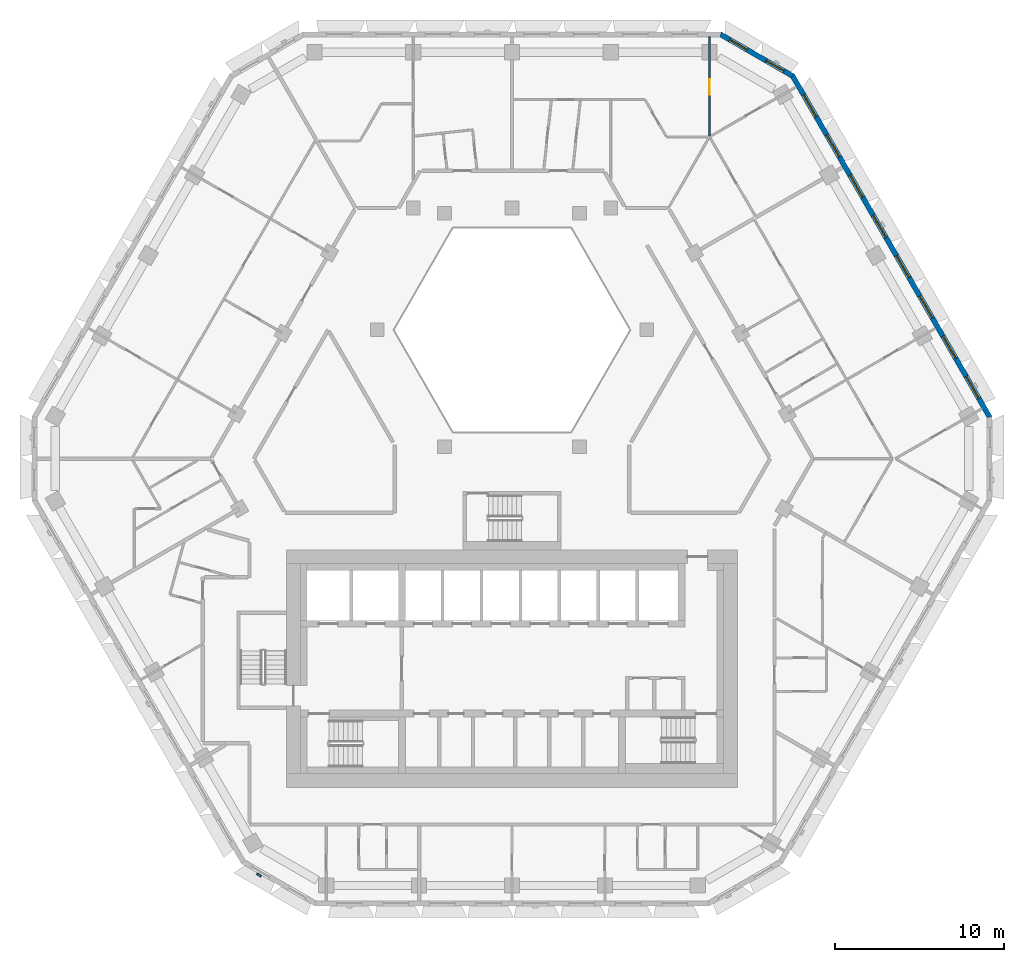
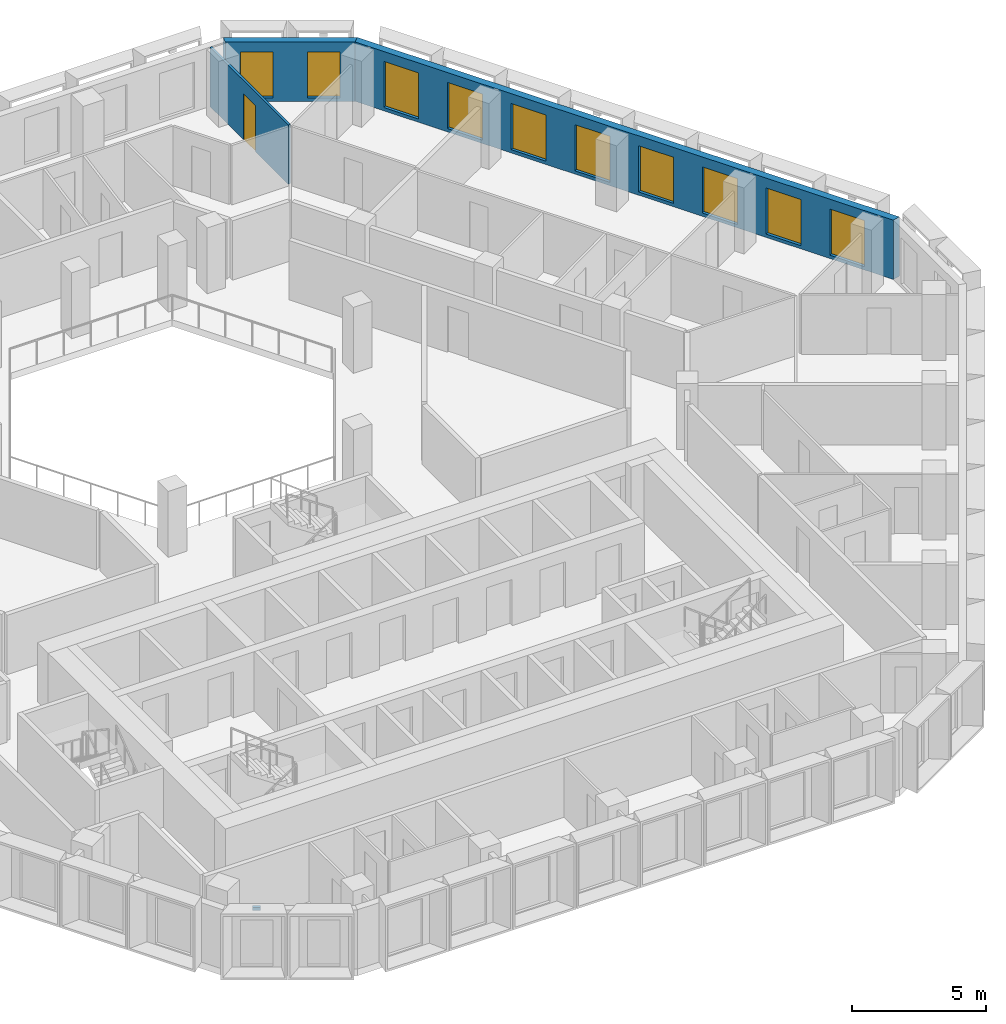
# One storey, part 10 of 18: 10 windows, 3 walls, 1 discrete accessory, 1 door, 11 openings.
"""IFC4 building model written with IfcOpenShell, lengths in metres."""

from ifc_helpers import new_model, si_unit, direction, frame, frame_2d, origin, place, context, subcontext, project, spatial, polyline, rectangle, outline, extrude, source, transform, mapped, material, layer, layer_set, type_object, type_shapes, element, fill, save


model = new_model("IFC4")

# Units and contexts
model_context = context("Model", 3, precision=1e-05, world=origin(), true_north=direction((0.0, 1.0)))
body_context = subcontext(model_context, "Body", "Model", "MODEL_VIEW")
ifc_project = project(units=[si_unit("LENGTHUNIT", "METRE"), si_unit("AREAUNIT", "SQUARE_METRE"), si_unit("VOLUMEUNIT", "CUBIC_METRE"), si_unit("PLANEANGLEUNIT", "RADIAN"), si_unit("MASSUNIT", "GRAM", prefix="KILO")], contexts=[model_context])

# Site, building, storey
site_placement = place(None, origin())
site = spatial("IfcSite", under=ifc_project, at=site_placement, CompositionType="ELEMENT")
building_placement = place(site_placement, origin())
building = spatial("IfcBuilding", under=site, at=building_placement, Name="Beryl Residences", CompositionType="ELEMENT")
storey_placement = place(building_placement, frame((0.0, 0.0, 138.60009765625)))
storey = spatial("IfcBuildingStorey", under=building, at=storey_placement, Name="L42", CompositionType="ELEMENT", Elevation=138.60009765625)

# Wall, openings, windows
ifc_material_1 = material(Name="Composite metal panel with mineral wool insulation")
ifc_layer_1 = layer(ifc_material_1, 0.300048828125)
ifc_layer_set_1 = layer_set([ifc_layer_1], Name="ES1 pale metal composite panel wall 300 mm")
wall_type_1 = type_object("IfcWallType", Name="ES1 pale metal composite panel wall 300 mm", PredefinedType="SOLIDWALL", material=ifc_layer_set_1)
wall_1_placement = place(storey_placement, frame((28.218017578125, 2.824951171875, 0.0), z_axis=(0.0, 0.0, 1.0), x_axis=(-0.500020536353, 0.866013546791, 0.0)))
wall_1 = element("IfcWall", 1, at=wall_1_placement, inside=storey, type_object=wall_type_1, Name="ES1 external wall L42 NE", PredefinedType="SOLIDWALL", context=body_context, shape_type="SweptSolid", body=[
    extrude(outline(polyline([(0.0, -0.14990234375), (23.3251953125, -0.14990234375), (23.244873046875, 0.14990234375), (0.080322265625, 0.14990234375), (0.0, -0.14990234375)])), origin(), (0.0, 0.0, 1.0), 2.699951171875),
])
opening_1_placement = place(wall_1_placement, frame((1.31396484375, 0.0, 0.14990234375)))
opening_1 = element("IfcOpeningElement", 2, at=opening_1_placement, cuts=wall_1, Name="Opening W1", PredefinedType="OPENING", context=body_context, shape_type="SweptSolid", body=[
    extrude(rectangle(XDim=1.5, YDim=2.10009765625, at=frame_2d((0.75, 1.050048828125))), frame((0.0, 0.159912109375, 0.0), z_axis=(0.0, -1.0, 0.0), x_axis=(1.0, 0.0, 0.0)), (0.0, 0.0, 1.0), 0.320068359375),
])
opening_2_placement = place(wall_1_placement, frame((4.055908203125, 0.0, 0.14990234375)))
opening_2 = element("IfcOpeningElement", 3, at=opening_2_placement, cuts=wall_1, Name="Opening W1", PredefinedType="OPENING", context=body_context, shape_type="SweptSolid", body=[
    extrude(rectangle(XDim=1.5, YDim=2.10009765625, at=frame_2d((0.75, 1.050048828125))), frame((0.0, 0.159912109375, 0.0), z_axis=(0.0, -1.0, 0.0), x_axis=(1.0, 0.0, 0.0)), (0.0, 0.0, 1.0), 0.320068359375),
])
opening_3_placement = place(wall_1_placement, frame((6.798095703125, 0.0, 0.14990234375)))
opening_3 = element("IfcOpeningElement", 4, at=opening_3_placement, cuts=wall_1, Name="Opening W1", PredefinedType="OPENING", context=body_context, shape_type="SweptSolid", body=[
    extrude(rectangle(XDim=1.5, YDim=2.10009765625, at=frame_2d((0.75, 1.050048828125))), frame((0.0, 0.159912109375, 0.0), z_axis=(0.0, -1.0, 0.0), x_axis=(1.0, 0.0, 0.0)), (0.0, 0.0, 1.0), 0.320068359375),
])
opening_4_placement = place(wall_1_placement, frame((9.541015625, 0.0, 0.14990234375)))
opening_4 = element("IfcOpeningElement", 5, at=opening_4_placement, cuts=wall_1, Name="Opening W1", PredefinedType="OPENING", context=body_context, shape_type="SweptSolid", body=[
    extrude(rectangle(XDim=1.5, YDim=2.10009765625, at=frame_2d((0.75, 1.050048828125))), frame((0.0, 0.159912109375, 0.0), z_axis=(0.0, -1.0, 0.0), x_axis=(1.0, 0.0, 0.0)), (0.0, 0.0, 1.0), 0.320068359375),
])
opening_5_placement = place(wall_1_placement, frame((12.283935546875, 0.0, 0.14990234375)))
opening_5 = element("IfcOpeningElement", 6, at=opening_5_placement, cuts=wall_1, Name="Opening W1", PredefinedType="OPENING", context=body_context, shape_type="SweptSolid", body=[
    extrude(rectangle(XDim=1.5, YDim=2.10009765625, at=frame_2d((0.75, 1.050048828125))), frame((0.0, 0.159912109375, 0.0), z_axis=(0.0, -1.0, 0.0), x_axis=(1.0, 0.0, 0.0)), (0.0, 0.0, 1.0), 0.320068359375),
])
opening_6_placement = place(wall_1_placement, frame((15.027099609375, 0.0, 0.14990234375)))
opening_6 = element("IfcOpeningElement", 7, at=opening_6_placement, cuts=wall_1, Name="Opening W1", PredefinedType="OPENING", context=body_context, shape_type="SweptSolid", body=[
    extrude(rectangle(XDim=1.5, YDim=2.10009765625, at=frame_2d((0.75, 1.050048828125))), frame((0.0, 0.159912109375, 0.0), z_axis=(0.0, -1.0, 0.0), x_axis=(1.0, 0.0, 0.0)), (0.0, 0.0, 1.0), 0.320068359375),
])
opening_7_placement = place(wall_1_placement, frame((17.76904296875, 0.0, 0.14990234375)))
opening_7 = element("IfcOpeningElement", 8, at=opening_7_placement, cuts=wall_1, Name="Opening W1", PredefinedType="OPENING", context=body_context, shape_type="SweptSolid", body=[
    extrude(rectangle(XDim=1.5, YDim=2.10009765625, at=frame_2d((0.75, 1.050048828125))), frame((0.0, 0.159912109375, 0.0), z_axis=(0.0, -1.0, 0.0), x_axis=(1.0, 0.0, 0.0)), (0.0, 0.0, 1.0), 0.320068359375),
])
opening_8_placement = place(wall_1_placement, frame((20.510986328125, 0.0, 0.14990234375)))
opening_8 = element("IfcOpeningElement", 9, at=opening_8_placement, cuts=wall_1, Name="Opening W1", PredefinedType="OPENING", context=body_context, shape_type="SweptSolid", body=[
    extrude(rectangle(XDim=1.5, YDim=2.10009765625, at=frame_2d((0.75, 1.050048828125))), frame((0.0, 0.159912109375, 0.0), z_axis=(0.0, -1.0, 0.0), x_axis=(1.0, 0.0, 0.0)), (0.0, 0.0, 1.0), 0.320068359375),
])
ifc_material_2 = material(Name="Aluminium and clear glass", Category="aluminium")
window_type_1 = type_object("IfcWindowType", Name="W1 cell window 1500 x 2100 mm", PartitioningType="SINGLE_PANEL", PredefinedType="WINDOW", material=ifc_material_2)
window_1_placement = place(opening_1_placement, origin())
window_1 = element("IfcWindow", 10, at=window_1_placement, inside=storey, type_object=window_type_1, Name="W1 window L42 NE 1", OverallHeight=2.10009765625, OverallWidth=1.5, PartitioningType="SINGLE_PANEL", PredefinedType="WINDOW", context=body_context, shape_type="SweptSolid", body=[
    extrude(rectangle(XDim=1.5, YDim=2.10009765625, at=frame_2d((0.75, 1.050048828125))), frame((0.0, 0.030029296875, 0.0), z_axis=(0.0, -1.0, 0.0), x_axis=(1.0, 0.0, 0.0)), (0.0, 0.0, 1.0), 0.06005859375),
])
fill(opening_1, window_1)
window_2_placement = place(opening_2_placement, origin())
window_2 = element("IfcWindow", 11, at=window_2_placement, inside=storey, type_object=window_type_1, Name="W1 window L42 NE 2", OverallHeight=2.10009765625, OverallWidth=1.5, PartitioningType="SINGLE_PANEL", PredefinedType="WINDOW", context=body_context, shape_type="SweptSolid", body=[
    extrude(rectangle(XDim=1.5, YDim=2.10009765625, at=frame_2d((0.75, 1.050048828125))), frame((0.0, 0.030029296875, 0.0), z_axis=(0.0, -1.0, 0.0), x_axis=(1.0, 0.0, 0.0)), (0.0, 0.0, 1.0), 0.06005859375),
])
fill(opening_2, window_2)
window_3_placement = place(opening_3_placement, origin())
window_3 = element("IfcWindow", 12, at=window_3_placement, inside=storey, type_object=window_type_1, Name="W1 window L42 NE 3", OverallHeight=2.10009765625, OverallWidth=1.5, PartitioningType="SINGLE_PANEL", PredefinedType="WINDOW", context=body_context, shape_type="SweptSolid", body=[
    extrude(rectangle(XDim=1.5, YDim=2.10009765625, at=frame_2d((0.75, 1.050048828125))), frame((0.0, 0.030029296875, 0.0), z_axis=(0.0, -1.0, 0.0), x_axis=(1.0, 0.0, 0.0)), (0.0, 0.0, 1.0), 0.06005859375),
])
fill(opening_3, window_3)
window_4_placement = place(opening_4_placement, origin())
window_4 = element("IfcWindow", 13, at=window_4_placement, inside=storey, type_object=window_type_1, Name="W1 window L42 NE 4", OverallHeight=2.10009765625, OverallWidth=1.5, PartitioningType="SINGLE_PANEL", PredefinedType="WINDOW", context=body_context, shape_type="SweptSolid", body=[
    extrude(rectangle(XDim=1.5, YDim=2.10009765625, at=frame_2d((0.75, 1.050048828125))), frame((0.0, 0.030029296875, 0.0), z_axis=(0.0, -1.0, 0.0), x_axis=(1.0, 0.0, 0.0)), (0.0, 0.0, 1.0), 0.06005859375),
])
fill(opening_4, window_4)
window_5_placement = place(opening_5_placement, origin())
window_5 = element("IfcWindow", 14, at=window_5_placement, inside=storey, type_object=window_type_1, Name="W1 window L42 NE 5", OverallHeight=2.10009765625, OverallWidth=1.5, PartitioningType="SINGLE_PANEL", PredefinedType="WINDOW", context=body_context, shape_type="SweptSolid", body=[
    extrude(rectangle(XDim=1.5, YDim=2.10009765625, at=frame_2d((0.75, 1.050048828125))), frame((0.0, 0.030029296875, 0.0), z_axis=(0.0, -1.0, 0.0), x_axis=(1.0, 0.0, 0.0)), (0.0, 0.0, 1.0), 0.06005859375),
])
fill(opening_5, window_5)
window_6_placement = place(opening_6_placement, origin())
window_6 = element("IfcWindow", 15, at=window_6_placement, inside=storey, type_object=window_type_1, Name="W1 window L42 NE 6", OverallHeight=2.10009765625, OverallWidth=1.5, PartitioningType="SINGLE_PANEL", PredefinedType="WINDOW", context=body_context, shape_type="SweptSolid", body=[
    extrude(rectangle(XDim=1.5, YDim=2.10009765625, at=frame_2d((0.75, 1.050048828125))), frame((0.0, 0.030029296875, 0.0), z_axis=(0.0, -1.0, 0.0), x_axis=(1.0, 0.0, 0.0)), (0.0, 0.0, 1.0), 0.06005859375),
])
fill(opening_6, window_6)
window_7_placement = place(opening_7_placement, origin())
window_7 = element("IfcWindow", 16, at=window_7_placement, inside=storey, type_object=window_type_1, Name="W1 window L42 NE 7", OverallHeight=2.10009765625, OverallWidth=1.5, PartitioningType="SINGLE_PANEL", PredefinedType="WINDOW", context=body_context, shape_type="SweptSolid", body=[
    extrude(rectangle(XDim=1.5, YDim=2.10009765625, at=frame_2d((0.75, 1.050048828125))), frame((0.0, 0.030029296875, 0.0), z_axis=(0.0, -1.0, 0.0), x_axis=(1.0, 0.0, 0.0)), (0.0, 0.0, 1.0), 0.06005859375),
])
fill(opening_7, window_7)
window_8_placement = place(opening_8_placement, origin())
window_8 = element("IfcWindow", 17, at=window_8_placement, inside=storey, type_object=window_type_1, Name="W1 window L42 NE 8", OverallHeight=2.10009765625, OverallWidth=1.5, PartitioningType="SINGLE_PANEL", PredefinedType="WINDOW", context=body_context, shape_type="SweptSolid", body=[
    extrude(rectangle(XDim=1.5, YDim=2.10009765625, at=frame_2d((0.75, 1.050048828125))), frame((0.0, 0.030029296875, 0.0), z_axis=(0.0, -1.0, 0.0), x_axis=(1.0, 0.0, 0.0)), (0.0, 0.0, 1.0), 0.06005859375),
])
fill(opening_8, window_8)

wall_2_placement = place(storey_placement, frame((16.610107421875, 22.969970703125, 0.0), z_axis=(0.0, 0.0, 1.0), x_axis=(-0.866022959057, 0.500004234368, 0.0)))
wall_2 = element("IfcWall", 18, at=wall_2_placement, inside=storey, type_object=wall_type_1, Name="ES1 external wall L42 NE-N", PredefinedType="SOLIDWALL", context=body_context, shape_type="SweptSolid", body=[
    extrude(outline(polyline([(0.0, -0.14990234375), (5.0, -0.14990234375), (4.919677734375, 0.14990234375), (0.080322265625, 0.14990234375), (0.0, -0.14990234375)])), origin(), (0.0, 0.0, 1.0), 2.699951171875),
])
opening_9_placement = place(wall_2_placement, frame((0.64990234375, 0.0, 0.14990234375)))
opening_9 = element("IfcOpeningElement", 19, at=opening_9_placement, cuts=wall_2, Name="Opening W2", PredefinedType="OPENING", context=body_context, shape_type="SweptSolid", body=[
    extrude(rectangle(XDim=1.199951171875, YDim=2.10009765625, at=frame_2d((0.60009765625, 1.050048828125))), frame((0.0, 0.159912109375, 0.0), z_axis=(0.0, -1.0, 0.0), x_axis=(1.0, 0.0, 0.0)), (0.0, 0.0, 1.0), 0.320068359375),
])
opening_10_placement = place(wall_2_placement, frame((3.14990234375, 0.0, 0.14990234375)))
opening_10 = element("IfcOpeningElement", 20, at=opening_10_placement, cuts=wall_2, Name="Opening W2", PredefinedType="OPENING", context=body_context, shape_type="SweptSolid", body=[
    extrude(rectangle(XDim=1.199951171875, YDim=2.10009765625, at=frame_2d((0.60009765625, 1.050048828125))), frame((0.0, 0.159912109375, 0.0), z_axis=(0.0, -1.0, 0.0), x_axis=(1.0, 0.0, 0.0)), (0.0, 0.0, 1.0), 0.320068359375),
])
ifc_material_3 = material(Name="Aluminium and clear glass", Category="aluminium")
window_type_2 = type_object("IfcWindowType", Name="W2 chamfer window 1200 x 2100 mm", PartitioningType="SINGLE_PANEL", PredefinedType="WINDOW", material=ifc_material_3)
window_9_placement = place(opening_9_placement, origin())
window_9 = element("IfcWindow", 21, at=window_9_placement, inside=storey, type_object=window_type_2, Name="W2 window L42 NE-N 1", OverallHeight=2.10009765625, OverallWidth=1.199951171875, PartitioningType="SINGLE_PANEL", PredefinedType="WINDOW", context=body_context, shape_type="SweptSolid", body=[
    extrude(rectangle(XDim=1.199951171875, YDim=2.10009765625, at=frame_2d((0.60009765625, 1.050048828125))), frame((0.0, 0.030029296875, 0.0), z_axis=(0.0, -1.0, 0.0), x_axis=(1.0, 0.0, 0.0)), (0.0, 0.0, 1.0), 0.06005859375),
])
fill(opening_9, window_9)
window_10_placement = place(opening_10_placement, origin())
window_10 = element("IfcWindow", 22, at=window_10_placement, inside=storey, type_object=window_type_2, Name="W2 window L42 NE-N 2", OverallHeight=2.10009765625, OverallWidth=1.199951171875, PartitioningType="SINGLE_PANEL", PredefinedType="WINDOW", context=body_context, shape_type="SweptSolid", body=[
    extrude(rectangle(XDim=1.199951171875, YDim=2.10009765625, at=frame_2d((0.60009765625, 1.050048828125))), frame((0.0, 0.030029296875, 0.0), z_axis=(0.0, -1.0, 0.0), x_axis=(1.0, 0.0, 0.0)), (0.0, 0.0, 1.0), 0.06005859375),
])
fill(opening_10, window_10)

# Wall, opening, door
ifc_material_4 = material(Name="Gypsum board partition on steel studs", Category="steel")
ifc_layer_2 = layer(ifc_material_4, 0.10009765625)
ifc_layer_set_2 = layer_set([ifc_layer_2], Name="PT1 partition 100 mm gypsum board on steel studs")
wall_type_2 = type_object("IfcWallType", Name="PT1 partition 100 mm gypsum board on steel studs", PredefinedType="PARTITIONING", material=ifc_layer_set_2)
wall_3_placement = place(storey_placement, frame((11.662109375, 19.4560546875, 0.0), z_axis=(0.0, 0.0, 1.0), x_axis=(0.0, 1.0, 0.0)))
wall_3 = element("IfcWall", 23, at=wall_3_placement, inside=storey, type_object=wall_type_2, Name="Wall PT1 L42 042", PredefinedType="PARTITIONING", context=body_context, shape_type="SweptSolid", body=[
    extrude(rectangle(XDim=5.843994140625, YDim=0.10009765625, at=frame_2d((2.921875, 0.0))), origin(), (0.0, 0.0, 1.0), 2.699951171875),
])
opening_11_placement = place(wall_3_placement, frame((2.443115234375, 0.0, 0.0)))
opening_11 = element("IfcOpeningElement", 24, at=opening_11_placement, cuts=wall_3, Name="Opening D1134", PredefinedType="OPENING", context=body_context, shape_type="SweptSolid", body=[
    extrude(rectangle(XDim=0.89990234375, YDim=2.10009765625, at=frame_2d((0.449951171875, 1.050048828125))), frame((0.0, 0.06005859375, 0.0), z_axis=(0.0, -1.0, 0.0), x_axis=(1.0, 0.0, 0.0)), (0.0, 0.0, 1.0), 0.1201171875),
])
ifc_material_5 = material(Name="Timber door leaf", Category="wood")
door_type = type_object("IfcDoorType", Name="D2 room door 900 x 2100 mm", OperationType="SINGLE_SWING_LEFT", PredefinedType="DOOR", material=ifc_material_5)
door_placement = place(opening_11_placement, origin())
door = element("IfcDoor", 25, at=door_placement, inside=storey, type_object=door_type, Name="Door D1134 L42 001", OperationType="SINGLE_SWING_RIGHT", OverallHeight=2.10009765625, OverallWidth=0.89990234375, PredefinedType="DOOR", context=body_context, shape_type="SweptSolid", body=[
    extrude(rectangle(XDim=0.89990234375, YDim=2.10009765625, at=frame_2d((0.449951171875, 1.050048828125))), frame((0.0, 0.02490234375, 0.0), z_axis=(0.0, -1.0, 0.0), x_axis=(1.0, 0.0, 0.0)), (0.0, 0.0, 1.0), 0.050048828125),
])
fill(opening_11, door)

# Discrete accessory
ifc_material_6 = material(Name="Steel S355", Category="steel")
discrete_accessory_type = type_object("IfcDiscreteAccessoryType", Name="BR1 frame bracket 300 x 120 x 150 mm", PredefinedType="BRACKET", material=ifc_material_6)
shared_shape = source(origin(), body_context, "Body", "SweptSolid", [
    extrude(outline(polyline([(-0.14990234375, 0.0), (0.14990234375, 0.0), (0.14990234375, 0.1201171875), (-0.14990234375, 0.1201171875), (-0.14990234375, 0.0)])), origin(), (0.0, 0.0, 1.0), 0.14990234375),
])
type_shapes(discrete_accessory_type, [shared_shape])
discrete_accessory_placement = place(storey_placement, frame((-14.909912109375, -24.125, 2.75), z_axis=(0.0, 0.0, 1.0), x_axis=(-0.866025403784, 0.5, 0.0)))
element("IfcDiscreteAccessory", 26, at=discrete_accessory_placement, inside=storey, type_object=discrete_accessory_type, Name="BR1 bracket L42 SW-S 1", PredefinedType="BRACKET", context=body_context, shape_type="MappedRepresentation", body=[
    mapped(shared_shape, transform((0.0, 0.0, 0.0))),
])

save(model, "model.ifc")
